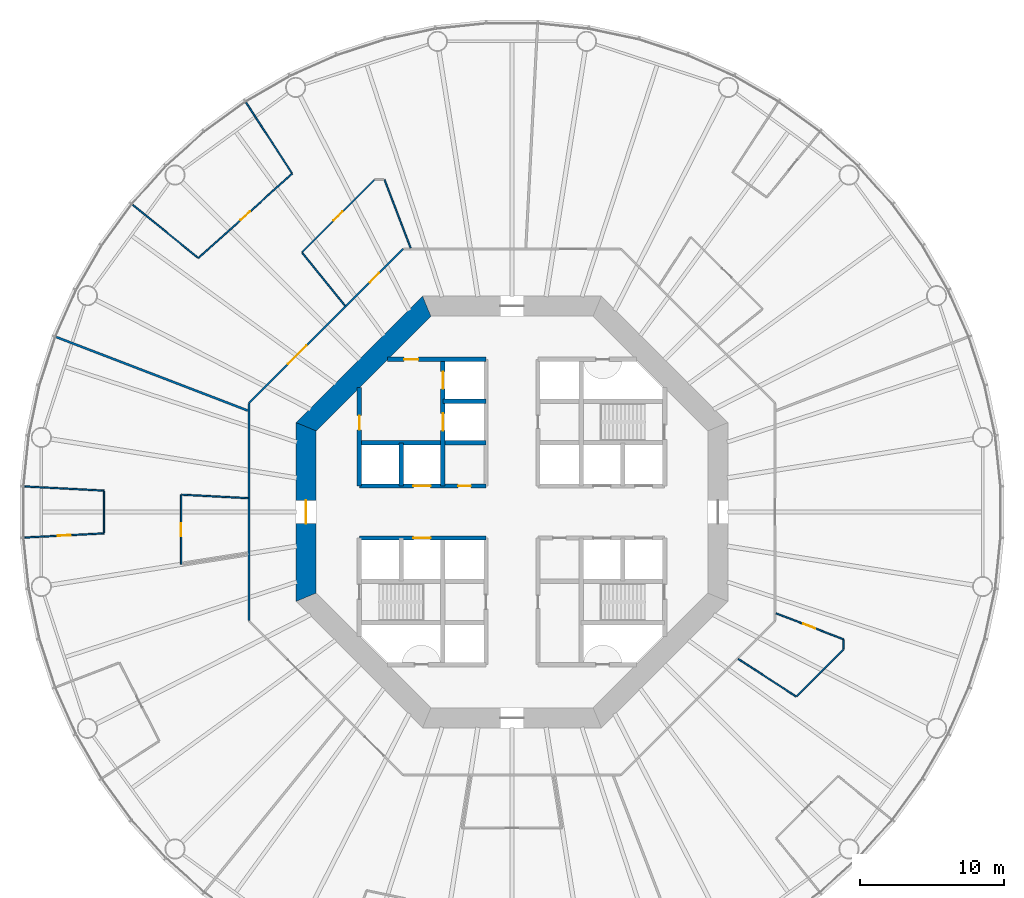
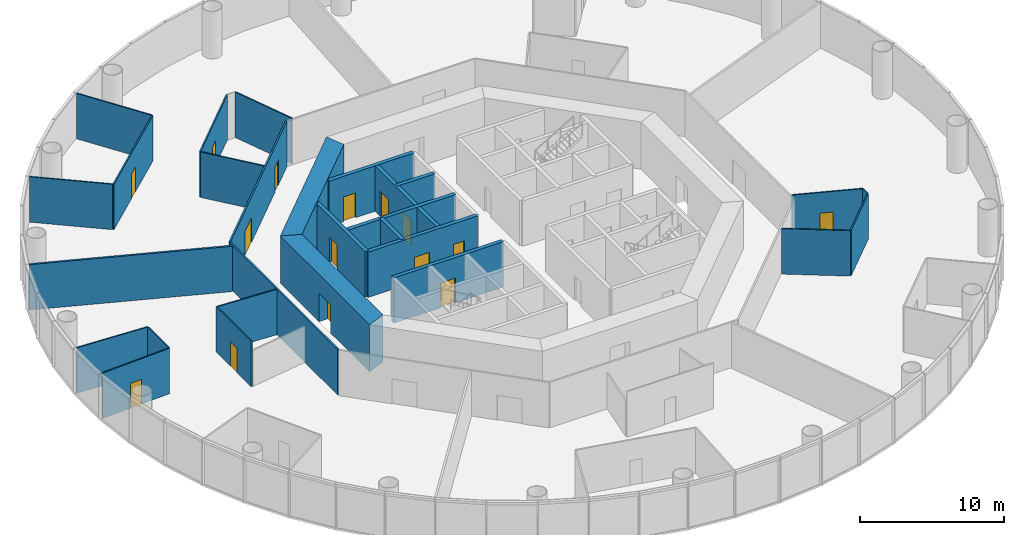
# One storey, part 4 of 13: 28 walls, 15 doors, 15 openings.
"""IFC4 building model written with IfcOpenShell, lengths in metres."""

from ifc_helpers import new_model, si_unit, direction, frame, frame_2d, origin, place, context, subcontext, project, spatial, polyline, rectangle, outline, extrude, material, layer, layer_set, type_object, element, fill, save


model = new_model("IFC4")

# Units and contexts
model_context = context("Model", 3, precision=1e-05, world=origin(), true_north=direction((0.0, 1.0)))
body_context = subcontext(model_context, "Body", "Model", "MODEL_VIEW")
ifc_project = project(units=[si_unit("LENGTHUNIT", "METRE"), si_unit("AREAUNIT", "SQUARE_METRE"), si_unit("VOLUMEUNIT", "CUBIC_METRE"), si_unit("PLANEANGLEUNIT", "RADIAN"), si_unit("MASSUNIT", "GRAM", prefix="KILO")], contexts=[model_context])

# Site, building, storey
site_placement = place(None, origin())
site = spatial("IfcSite", under=ifc_project, at=site_placement, CompositionType="ELEMENT")
building_placement = place(site_placement, origin())
building = spatial("IfcBuilding", under=site, at=building_placement, Name="Entoto Ring Tower", CompositionType="ELEMENT")
storey_placement = place(building_placement, frame((0.0, 0.0, 58.0)))
storey = spatial("IfcBuildingStorey", under=building, at=storey_placement, Name="L12", CompositionType="ELEMENT", Elevation=58.0)

# Wall, openings, doors
ifc_material_1 = material(Name="Concrete C40/50", Category="concrete")
ifc_layer_1 = layer(ifc_material_1, 0.300048828125)
ifc_layer_set_1 = layer_set([ifc_layer_1], Name="Concrete C40/50")
wall_type_1 = type_object("IfcWallType", Name="Core enclosure wall 300 mm reinforced concrete", PredefinedType="SOLIDWALL", material=ifc_layer_set_1)
wall_1_placement = place(storey_placement, frame((85.199951171875, 81.800048828125, 0.0), z_axis=(0.0, 0.0, 1.0), x_axis=(0.0, 1.0, 0.0)))
wall_1 = element("IfcWall", 1, at=wall_1_placement, inside=storey, type_object=wall_type_1, Name="wall-L12-012", PredefinedType="SOLIDWALL", context=body_context, shape_type="SweptSolid", body=[
    extrude(rectangle(XDim=8.800048828125, YDim=0.300048828125, at=frame_2d((4.39990234375, 0.0))), origin(), (0.0, 0.0, 1.0), 3.85009765625),
])
opening_1_placement = place(wall_1_placement, frame((3.85009765625, 0.0, 0.0)))
opening_1 = element("IfcOpeningElement", 2, at=opening_1_placement, cuts=wall_1, Name="Opening LD", PredefinedType="OPENING", context=body_context, shape_type="SweptSolid", body=[
    extrude(rectangle(XDim=1.199951171875, YDim=2.10009765625, at=frame_2d((0.60009765625, 1.050048828125))), frame((0.0, 0.16015625, 0.0), z_axis=(0.0, -1.0, 0.0), x_axis=(1.0, 0.0, 0.0)), (0.0, 0.0, 1.0), 0.320068359375),
])
opening_2_placement = place(wall_1_placement, frame((6.75, 0.0, 0.0)))
opening_2 = element("IfcOpeningElement", 3, at=opening_2_placement, cuts=wall_1, Name="Opening LD", PredefinedType="OPENING", context=body_context, shape_type="SweptSolid", body=[
    extrude(rectangle(XDim=1.199951171875, YDim=2.10009765625, at=frame_2d((0.60009765625, 1.050048828125))), frame((0.0, 0.16015625, 0.0), z_axis=(0.0, -1.0, 0.0), x_axis=(1.0, 0.0, 0.0)), (0.0, 0.0, 1.0), 0.320068359375),
])
ifc_material_2 = material(Name="Steel and glass door leaf", Category="steel")
ifc_layer_2 = layer(ifc_material_2, 0.050048828125)
ifc_layer_set_2 = layer_set([ifc_layer_2], Name="Steel and glass door leaf")
door_type_1 = type_object("IfcDoorType", Name="Landing door 1200 x 2100 sliding", OperationType="DOUBLE_DOOR_SLIDING", PredefinedType="DOOR", material=ifc_layer_set_2)
door_1_placement = place(opening_1_placement, origin())
door_1 = element("IfcDoor", 4, at=door_1_placement, inside=storey, type_object=door_type_1, Name="Landing door FF1", OperationType="SLIDING_TO_RIGHT", OverallHeight=2.10009765625, OverallWidth=1.199951171875, PredefinedType="DOOR", context=body_context, shape_type="SweptSolid", body=[
    extrude(rectangle(XDim=1.199951171875, YDim=2.10009765625, at=frame_2d((0.60009765625, 1.050048828125))), frame((0.0, 0.02490234375, 0.0), z_axis=(0.0, -1.0, 0.0), x_axis=(1.0, 0.0, 0.0)), (0.0, 0.0, 1.0), 0.050048828125),
])
fill(opening_1, door_1)
door_2_placement = place(opening_2_placement, origin())
door_2 = element("IfcDoor", 5, at=door_2_placement, inside=storey, type_object=door_type_1, Name="Landing door FF2", OperationType="SLIDING_TO_RIGHT", OverallHeight=2.10009765625, OverallWidth=1.199951171875, PredefinedType="DOOR", context=body_context, shape_type="SweptSolid", body=[
    extrude(rectangle(XDim=1.199951171875, YDim=2.10009765625, at=frame_2d((0.60009765625, 1.050048828125))), frame((0.0, 0.02490234375, 0.0), z_axis=(0.0, -1.0, 0.0), x_axis=(1.0, 0.0, 0.0)), (0.0, 0.0, 1.0), 0.050048828125),
])
fill(opening_2, door_2)

# Wall
wall_2_placement = place(storey_placement, frame((82.300048828125, 81.800048828125, 0.0), z_axis=(0.0, 0.0, 1.0), x_axis=(0.0, 1.0, 0.0)))
element("IfcWall", 6, at=wall_2_placement, inside=storey, type_object=wall_type_1, Name="wall-L12-014", PredefinedType="SOLIDWALL", context=body_context, shape_type="SweptSolid", body=[
    extrude(rectangle(XDim=3.0, YDim=0.300048828125, at=frame_2d((1.5, 0.0))), origin(), (0.0, 0.0, 1.0), 3.85009765625),
])

# Wall, opening, door
wall_3_placement = place(storey_placement, frame((79.39990234375, 81.800048828125, 0.0), z_axis=(0.0, 0.0, 1.0), x_axis=(0.0, 1.0, 0.0)))
wall_3 = element("IfcWall", 7, at=wall_3_placement, inside=storey, type_object=wall_type_1, Name="wall-L12-016", PredefinedType="SOLIDWALL", context=body_context, shape_type="SweptSolid", body=[
    extrude(rectangle(XDim=6.833251953125, YDim=0.300048828125, at=frame_2d((3.41650390625, 0.0))), origin(), (0.0, 0.0, 1.0), 3.85009765625),
])
opening_3_placement = place(wall_3_placement, frame((3.89990234375, 0.0, 0.0)))
opening_3 = element("IfcOpeningElement", 8, at=opening_3_placement, cuts=wall_3, Name="Opening K-22", PredefinedType="OPENING", context=body_context, shape_type="SweptSolid", body=[
    extrude(rectangle(XDim=1.0, YDim=2.10009765625, at=frame_2d((0.5, 1.050048828125))), frame((0.0, 0.16015625, 0.0), z_axis=(0.0, -1.0, 0.0), x_axis=(1.0, 0.0, 0.0)), (0.0, 0.0, 1.0), 0.320068359375),
])
ifc_material_3 = material(Name="Steel door leaf, fire rated", Category="steel")
ifc_layer_3 = layer(ifc_material_3, 0.050048828125)
ifc_layer_set_3 = layer_set([ifc_layer_3], Name="Steel door leaf, fire rated")
door_type_2 = type_object("IfcDoorType", Name="Fire door FD60 1000 x 2100 single leaf", OperationType="NOTDEFINED", PredefinedType="DOOR", material=ifc_layer_set_3)
door_3_placement = place(opening_3_placement, frame((1.0, 0.0, 0.0), z_axis=(0.0, 0.0, 1.0), x_axis=(-1.0, 0.0, 0.0)))
door_3 = element("IfcDoor", 9, at=door_3_placement, inside=storey, type_object=door_type_2, Name="Door K-22", OperationType="SINGLE_SWING_LEFT", OverallHeight=2.10009765625, OverallWidth=1.0, PredefinedType="DOOR", context=body_context, shape_type="SweptSolid", body=[
    extrude(rectangle(XDim=1.0, YDim=2.10009765625, at=frame_2d((0.5, 1.050048828125))), frame((0.0, 0.02490234375, 0.0), z_axis=(0.0, -1.0, 0.0), x_axis=(1.0, 0.0, 0.0)), (0.0, 0.0, 1.0), 0.050048828125),
])
fill(opening_3, door_3)

wall_4_placement = place(storey_placement, frame((79.39990234375, 78.199951171875, 0.0), z_axis=(0.0, 0.0, 1.0), x_axis=(1.0, 0.0, 0.0)))
wall_4 = element("IfcWall", 10, at=wall_4_placement, inside=storey, type_object=wall_type_1, Name="wall-L12-023", PredefinedType="SOLIDWALL", context=body_context, shape_type="SweptSolid", body=[
    extrude(rectangle(XDim=8.800048828125, YDim=0.300048828125, at=frame_2d((4.39990234375, 0.0))), origin(), (0.0, 0.0, 1.0), 3.85009765625),
])
opening_4_placement = place(wall_4_placement, frame((3.75, 0.0, 0.0)))
opening_4 = element("IfcOpeningElement", 11, at=opening_4_placement, cuts=wall_4, Name="Opening LD", PredefinedType="OPENING", context=body_context, shape_type="SweptSolid", body=[
    extrude(rectangle(XDim=1.199951171875, YDim=2.10009765625, at=frame_2d((0.60009765625, 1.050048828125))), frame((0.0, 0.16015625, 0.0), z_axis=(0.0, -1.0, 0.0), x_axis=(1.0, 0.0, 0.0)), (0.0, 0.0, 1.0), 0.320068359375),
])
door_4_placement = place(opening_4_placement, origin())
door_4 = element("IfcDoor", 12, at=door_4_placement, inside=storey, type_object=door_type_1, Name="Landing door LB6-LR", OperationType="SLIDING_TO_RIGHT", OverallHeight=2.10009765625, OverallWidth=1.199951171875, PredefinedType="DOOR", context=body_context, shape_type="SweptSolid", body=[
    extrude(rectangle(XDim=1.199951171875, YDim=2.10009765625, at=frame_2d((0.60009765625, 1.050048828125))), frame((0.0, 0.02490234375, 0.0), z_axis=(0.0, -1.0, 0.0), x_axis=(1.0, 0.0, 0.0)), (0.0, 0.0, 1.0), 0.050048828125),
])
fill(opening_4, door_4)

# Wall, openings, doors
wall_5_placement = place(storey_placement, frame((79.39990234375, 81.800048828125, 0.0), z_axis=(0.0, 0.0, 1.0), x_axis=(1.0, 0.0, 0.0)))
wall_5 = element("IfcWall", 13, at=wall_5_placement, inside=storey, type_object=wall_type_1, Name="wall-L12-025", PredefinedType="SOLIDWALL", context=body_context, shape_type="SweptSolid", body=[
    extrude(rectangle(XDim=8.800048828125, YDim=0.300048828125, at=frame_2d((4.39990234375, 0.0))), origin(), (0.0, 0.0, 1.0), 3.85009765625),
])
opening_5_placement = place(wall_5_placement, frame((3.75, 0.0, 0.0)))
opening_5 = element("IfcOpeningElement", 14, at=opening_5_placement, cuts=wall_5, Name="Opening LD", PredefinedType="OPENING", context=body_context, shape_type="SweptSolid", body=[
    extrude(rectangle(XDim=1.199951171875, YDim=2.10009765625, at=frame_2d((0.60009765625, 1.050048828125))), frame((0.0, 0.16015625, 0.0), z_axis=(0.0, -1.0, 0.0), x_axis=(1.0, 0.0, 0.0)), (0.0, 0.0, 1.0), 0.320068359375),
])
opening_6_placement = place(wall_5_placement, frame((6.85009765625, 0.0, 0.0)))
opening_6 = element("IfcOpeningElement", 15, at=opening_6_placement, cuts=wall_5, Name="Opening K-14", PredefinedType="OPENING", context=body_context, shape_type="SweptSolid", body=[
    extrude(rectangle(XDim=0.89990234375, YDim=2.10009765625, at=frame_2d((0.449951171875, 1.050048828125))), frame((0.0, 0.16015625, 0.0), z_axis=(0.0, -1.0, 0.0), x_axis=(1.0, 0.0, 0.0)), (0.0, 0.0, 1.0), 0.320068359375),
])
ifc_material_4 = material(Name="Steel door leaf, fire rated", Category="steel")
ifc_layer_4 = layer(ifc_material_4, 0.050048828125)
ifc_layer_set_4 = layer_set([ifc_layer_4], Name="Steel door leaf, fire rated")
door_type_3 = type_object("IfcDoorType", Name="Core door 900 x 2100 single leaf", OperationType="NOTDEFINED", PredefinedType="DOOR", material=ifc_layer_set_4)
door_5_placement = place(opening_6_placement, frame((0.89990234375, 0.0, 0.0), z_axis=(0.0, 0.0, 1.0), x_axis=(-1.0, 0.0, 0.0)))
door_5 = element("IfcDoor", 16, at=door_5_placement, inside=storey, type_object=door_type_3, Name="Door K-14", OperationType="SINGLE_SWING_RIGHT", OverallHeight=2.10009765625, OverallWidth=0.89990234375, PredefinedType="DOOR", context=body_context, shape_type="SweptSolid", body=[
    extrude(rectangle(XDim=0.89990234375, YDim=2.10009765625, at=frame_2d((0.449951171875, 1.050048828125))), frame((0.0, 0.02490234375, 0.0), z_axis=(0.0, -1.0, 0.0), x_axis=(1.0, 0.0, 0.0)), (0.0, 0.0, 1.0), 0.050048828125),
])
fill(opening_6, door_5)
door_6_placement = place(opening_5_placement, origin())
door_6 = element("IfcDoor", 17, at=door_6_placement, inside=storey, type_object=door_type_1, Name="Landing door LB3-LR", OperationType="SLIDING_TO_RIGHT", OverallHeight=2.10009765625, OverallWidth=1.199951171875, PredefinedType="DOOR", context=body_context, shape_type="SweptSolid", body=[
    extrude(rectangle(XDim=1.199951171875, YDim=2.10009765625, at=frame_2d((0.60009765625, 1.050048828125))), frame((0.0, 0.02490234375, 0.0), z_axis=(0.0, -1.0, 0.0), x_axis=(1.0, 0.0, 0.0)), (0.0, 0.0, 1.0), 0.050048828125),
])
fill(opening_5, door_6)

# Walls
wall_6_placement = place(storey_placement, frame((79.39990234375, 84.800048828125, 0.0), z_axis=(0.0, 0.0, 1.0), x_axis=(1.0, 0.0, 0.0)))
element("IfcWall", 18, at=wall_6_placement, inside=storey, type_object=wall_type_1, Name="wall-L12-027", PredefinedType="SOLIDWALL", context=body_context, shape_type="SweptSolid", body=[
    extrude(rectangle(XDim=8.800048828125, YDim=0.300048828125, at=frame_2d((4.39990234375, 0.0))), origin(), (0.0, 0.0, 1.0), 3.85009765625),
])
wall_7_placement = place(storey_placement, frame((85.199951171875, 87.699951171875, 0.0), z_axis=(0.0, 0.0, 1.0), x_axis=(1.0, 0.0, 0.0)))
element("IfcWall", 19, at=wall_7_placement, inside=storey, type_object=wall_type_1, Name="wall-L12-029", PredefinedType="SOLIDWALL", context=body_context, shape_type="SweptSolid", body=[
    extrude(rectangle(XDim=3.0, YDim=0.300048828125, at=frame_2d((1.5, 0.0))), origin(), (0.0, 0.0, 1.0), 3.85009765625),
])

# Wall, opening, door
wall_8_placement = place(storey_placement, frame((81.36669921875, 90.60009765625, 0.0), z_axis=(0.0, 0.0, 1.0), x_axis=(1.0, 0.0, 0.0)))
wall_8 = element("IfcWall", 20, at=wall_8_placement, inside=storey, type_object=wall_type_1, Name="wall-L12-031", PredefinedType="SOLIDWALL", context=body_context, shape_type="SweptSolid", body=[
    extrude(rectangle(XDim=6.833251953125, YDim=0.300048828125, at=frame_2d((3.41650390625, 0.0))), origin(), (0.0, 0.0, 1.0), 3.85009765625),
])
opening_7_placement = place(wall_8_placement, frame((1.13330078125, 0.0, 0.0)))
opening_7 = element("IfcOpeningElement", 21, at=opening_7_placement, cuts=wall_8, Name="Opening K-23", PredefinedType="OPENING", context=body_context, shape_type="SweptSolid", body=[
    extrude(rectangle(XDim=1.0, YDim=2.10009765625, at=frame_2d((0.5, 1.050048828125))), frame((0.0, 0.16015625, 0.0), z_axis=(0.0, -1.0, 0.0), x_axis=(1.0, 0.0, 0.0)), (0.0, 0.0, 1.0), 0.320068359375),
])
door_7_placement = place(opening_7_placement, frame((1.0, 0.0, 0.0), z_axis=(0.0, 0.0, 1.0), x_axis=(-1.0, 0.0, 0.0)))
door_7 = element("IfcDoor", 22, at=door_7_placement, inside=storey, type_object=door_type_2, Name="Door K-23", OperationType="SINGLE_SWING_RIGHT", OverallHeight=2.10009765625, OverallWidth=1.0, PredefinedType="DOOR", context=body_context, shape_type="SweptSolid", body=[
    extrude(rectangle(XDim=1.0, YDim=2.10009765625, at=frame_2d((0.5, 1.050048828125))), frame((0.0, 0.02490234375, 0.0), z_axis=(0.0, -1.0, 0.0), x_axis=(1.0, 0.0, 0.0)), (0.0, 0.0, 1.0), 0.050048828125),
])
fill(opening_7, door_7)

# Wall
ifc_material_5 = material(Name="Concrete C60/75", Category="concrete")
ifc_layer_5 = layer(ifc_material_5, 1.39990234375)
ifc_layer_set_5 = layer_set([ifc_layer_5], Name="Concrete C60/75")
wall_type_2 = type_object("IfcWallType", Name="Core shear wall 1400 mm reinforced concrete C60/75", PredefinedType="SHEAR", material=ifc_layer_set_5)
wall_9_placement = place(storey_placement, frame((84.07666015625, 94.300048828125, 0.0), z_axis=(0.0, 0.0, 1.0), x_axis=(-0.707106781187, -0.707106781187, 0.0)))
element("IfcWall", 23, at=wall_9_placement, inside=storey, type_object=wall_type_2, Name="wall-L12-core-3", PredefinedType="SHEAR", context=body_context, shape_type="SweptSolid", body=[
    extrude(outline(polyline([(-0.2900390625, -0.699951171875), (12.136474609375, -0.699951171875), (11.556396484375, 0.699951171875), (0.2900390625, 0.699951171875), (-0.2900390625, -0.699951171875)])), origin(), (0.0, 0.0, 1.0), 4.0),
])

# Wall, opening, door
wall_10_placement = place(storey_placement, frame((75.699951171875, 85.92333984375, 0.0), z_axis=(0.0, 0.0, 1.0), x_axis=(0.0, -1.0, 0.0)))
wall_10 = element("IfcWall", 24, at=wall_10_placement, inside=storey, type_object=wall_type_2, Name="wall-L12-core-4", PredefinedType="SHEAR", context=body_context, shape_type="SweptSolid", body=[
    extrude(outline(polyline([(-0.2900390625, -0.699951171875), (12.13671875, -0.699951171875), (11.556640625, 0.699951171875), (0.2900390625, 0.699951171875), (-0.2900390625, -0.699951171875)])), origin(), (0.0, 0.0, 1.0), 4.0),
])
opening_8_placement = place(wall_10_placement, frame((5.123291015625, 0.0, 0.0)))
opening_8 = element("IfcOpeningElement", 25, at=opening_8_placement, cuts=wall_10, Name="Opening K-03", PredefinedType="OPENING", context=body_context, shape_type="SweptSolid", body=[
    extrude(rectangle(XDim=1.60009765625, YDim=2.39990234375, at=frame_2d((0.800048828125, 1.199951171875))), frame((0.0, 0.7099609375, 0.0), z_axis=(0.0, -1.0, 0.0), x_axis=(1.0, 0.0, 0.0)), (0.0, 0.0, 1.0), 1.419921875),
])
ifc_material_6 = material(Name="Steel door leaf, fire rated", Category="steel")
ifc_layer_6 = layer(ifc_material_6, 0.050048828125)
ifc_layer_set_6 = layer_set([ifc_layer_6], Name="Steel door leaf, fire rated")
door_type_4 = type_object("IfcDoorType", Name="Entrance door FD60 1600 x 2400 double leaf", OperationType="DOUBLE_DOOR_SINGLE_SWING", PredefinedType="DOOR", material=ifc_layer_set_6)
door_8_placement = place(opening_8_placement, origin())
door_8 = element("IfcDoor", 26, at=door_8_placement, inside=storey, type_object=door_type_4, Name="Entrance door K-03", OperationType="DOUBLE_DOOR_SINGLE_SWING", OverallHeight=2.39990234375, OverallWidth=1.60009765625, PredefinedType="DOOR", context=body_context, shape_type="SweptSolid", body=[
    extrude(rectangle(XDim=1.60009765625, YDim=2.39990234375, at=frame_2d((0.800048828125, 1.199951171875))), frame((0.0, 0.02490234375, 0.0), z_axis=(0.0, -1.0, 0.0), x_axis=(1.0, 0.0, 0.0)), (0.0, 0.0, 1.0), 0.050048828125),
])
fill(opening_8, door_8)

# Wall, openings, doors
ifc_material_7 = material(Name="Fire-resisting plasterboard on steel studs", Category="steel")
ifc_layer_7 = layer(ifc_material_7, 0.125)
ifc_layer_set_7 = layer_set([ifc_layer_7], Name="Fire-resisting plasterboard on steel studs")
wall_type_3 = type_object("IfcWallType", Name="Corridor wall 125 mm one-hour plasterboard on steel studs", PredefinedType="PARTITIONING", material=ifc_layer_set_7)
wall_11_placement = place(storey_placement, frame((71.737548828125, 87.564697265625, 0.0), z_axis=(0.0, 0.0, 1.0), x_axis=(0.707106781187, 0.707106781187, 0.0)))
wall_11 = element("IfcWall", 27, at=wall_11_placement, inside=storey, type_object=wall_type_3, Name="partition-L12-001", PredefinedType="PARTITIONING", context=body_context, shape_type="SweptSolid", body=[
    extrude(rectangle(XDim=15.12890625, YDim=0.125, at=frame_2d((7.564453125, 0.0))), origin(), (0.0, 0.0, 1.0), 3.85009765625),
])
opening_9_placement = place(wall_11_placement, frame((3.842041015625, 0.0, 0.0)))
opening_9 = element("IfcOpeningElement", 28, at=opening_9_placement, cuts=wall_11, Name="Opening A05-D14", PredefinedType="OPENING", context=body_context, shape_type="SweptSolid", body=[
    extrude(rectangle(XDim=1.800048828125, YDim=2.10009765625, at=frame_2d((0.89990234375, 1.050048828125))), frame((0.0, 0.072509765625, 0.0), z_axis=(0.0, -1.0, 0.0), x_axis=(1.0, 0.0, 0.0)), (0.0, 0.0, 1.0), 0.14501953125),
])
opening_10_placement = place(wall_11_placement, frame((11.8564453125, 0.0, 0.0)))
opening_10 = element("IfcOpeningElement", 29, at=opening_10_placement, cuts=wall_11, Name="Opening A05-D16", PredefinedType="OPENING", context=body_context, shape_type="SweptSolid", body=[
    extrude(rectangle(XDim=0.89990234375, YDim=2.10009765625, at=frame_2d((0.449951171875, 1.050048828125))), frame((0.0, 0.072509765625, 0.0), z_axis=(0.0, -1.0, 0.0), x_axis=(1.0, 0.0, 0.0)), (0.0, 0.0, 1.0), 0.14501953125),
])
ifc_material_8 = material(Name="Fire-resisting timber door set", Category="wood")
door_type_5 = type_object("IfcDoorType", Name="Door 1000 x 2100 single leaf FD30S fire door", OperationType="NOTDEFINED", PredefinedType="DOOR", material=ifc_material_8)
door_9_placement = place(opening_10_placement, origin())
door_9 = element("IfcDoor", 30, at=door_9_placement, inside=storey, type_object=door_type_5, Name="Door A05-D16", OperationType="SINGLE_SWING_LEFT", OverallHeight=2.10009765625, OverallWidth=0.89990234375, PredefinedType="DOOR", context=body_context, shape_type="SweptSolid", body=[
    extrude(rectangle(XDim=0.89990234375, YDim=2.10009765625, at=frame_2d((0.449951171875, 1.050048828125))), frame((0.0, 0.02490234375, 0.0), z_axis=(0.0, -1.0, 0.0), x_axis=(1.0, 0.0, 0.0)), (0.0, 0.0, 1.0), 0.050048828125),
])
fill(opening_10, door_9)
ifc_material_9 = material(Name="Fire-resisting timber door set", Category="wood")
door_type_6 = type_object("IfcDoorType", Name="Door 1800 x 2100 double leaf FD30S fire door", OperationType="DOUBLE_DOOR_SINGLE_SWING", PredefinedType="DOOR", material=ifc_material_9)
door_10_placement = place(opening_9_placement, origin())
door_10 = element("IfcDoor", 31, at=door_10_placement, inside=storey, type_object=door_type_6, Name="Door A05-D14", OperationType="DOUBLE_DOOR_SINGLE_SWING", OverallHeight=2.10009765625, OverallWidth=1.800048828125, PredefinedType="DOOR", context=body_context, shape_type="SweptSolid", body=[
    extrude(rectangle(XDim=1.800048828125, YDim=2.10009765625, at=frame_2d((0.89990234375, 1.050048828125))), frame((0.0, 0.02490234375, 0.0), z_axis=(0.0, -1.0, 0.0), x_axis=(1.0, 0.0, 0.0)), (0.0, 0.0, 1.0), 0.050048828125),
])
fill(opening_9, door_10)

# Wall
wall_12_placement = place(storey_placement, frame((71.737548828125, 72.4794921875, 0.0), z_axis=(0.0, 0.0, 1.0), x_axis=(0.0, 1.0, 0.0)))
element("IfcWall", 32, at=wall_12_placement, inside=storey, type_object=wall_type_3, Name="partition-L12-005", PredefinedType="PARTITIONING", context=body_context, shape_type="SweptSolid", body=[
    extrude(rectangle(XDim=15.041015625, YDim=0.125, at=frame_2d((7.5205078125, 0.0))), origin(), (0.0, 0.0, 1.0), 3.85009765625),
])

# Wall, opening, door
ifc_material_10 = material(Name="Plasterboard on steel studs", Category="steel")
ifc_layer_8 = layer(ifc_material_10, 0.10009765625)
ifc_layer_set_8 = layer_set([ifc_layer_8], Name="Plasterboard on steel studs")
wall_type_4 = type_object("IfcWallType", Name="Partition 100 mm plasterboard on steel studs", PredefinedType="PARTITIONING", material=ifc_layer_set_8)
wall_13_placement = place(storey_placement, frame((68.216552734375, 97.639892578125, 0.0), z_axis=(0.0, 0.0, 1.0), x_axis=(0.743162627125, 0.669110835098, 0.0)))
wall_13 = element("IfcWall", 33, at=wall_13_placement, inside=storey, type_object=wall_type_4, Name="partition-L12-015", PredefinedType="PARTITIONING", context=body_context, shape_type="SweptSolid", body=[
    extrude(rectangle(XDim=8.769775390625, YDim=0.10009765625, at=frame_2d((4.384765625, 0.0))), origin(), (0.0, 0.0, 1.0), 3.85009765625),
])
opening_11_placement = place(wall_13_placement, frame((3.934814453125, 0.0, 0.0)))
opening_11 = element("IfcOpeningElement", 34, at=opening_11_placement, cuts=wall_13, Name="Opening A05-D17", PredefinedType="OPENING", context=body_context, shape_type="SweptSolid", body=[
    extrude(rectangle(XDim=0.89990234375, YDim=2.10009765625, at=frame_2d((0.449951171875, 1.050048828125))), frame((0.0, 0.06005859375, 0.0), z_axis=(0.0, -1.0, 0.0), x_axis=(1.0, 0.0, 0.0)), (0.0, 0.0, 1.0), 0.1201171875),
])
ifc_material_11 = material(Name="Veneered timber door leaf in timber frame", Category="wood")
door_type_7 = type_object("IfcDoorType", Name="Door 900 x 2100 single leaf timber veneer", OperationType="NOTDEFINED", PredefinedType="DOOR", material=ifc_material_11)
door_11_placement = place(opening_11_placement, origin())
door_11 = element("IfcDoor", 35, at=door_11_placement, inside=storey, type_object=door_type_7, Name="Door A05-D17", OperationType="SINGLE_SWING_RIGHT", OverallHeight=2.10009765625, OverallWidth=0.89990234375, PredefinedType="DOOR", context=body_context, shape_type="SweptSolid", body=[
    extrude(rectangle(XDim=0.89990234375, YDim=2.10009765625, at=frame_2d((0.449951171875, 1.050048828125))), frame((0.0, 0.02490234375, 0.0), z_axis=(0.0, -1.0, 0.0), x_axis=(1.0, 0.0, 0.0)), (0.0, 0.0, 1.0), 0.050048828125),
])
fill(opening_11, door_11)

wall_14_placement = place(storey_placement, frame((75.393798828125, 98.037353515625, 0.0), z_axis=(0.0, 0.0, 1.0), x_axis=(0.707106781187, 0.707106781187, 0.0)))
wall_14 = element("IfcWall", 36, at=wall_14_placement, inside=storey, type_object=wall_type_4, Name="partition-L12-016", PredefinedType="PARTITIONING", context=body_context, shape_type="SweptSolid", body=[
    extrude(rectangle(XDim=7.135009765625, YDim=0.10009765625, at=frame_2d((3.5673828125, 0.0))), origin(), (0.0, 0.0, 1.0), 3.85009765625),
])
opening_12_placement = place(wall_14_placement, frame((3.117431640625, 0.0, 0.0)))
opening_12 = element("IfcOpeningElement", 37, at=opening_12_placement, cuts=wall_14, Name="Opening A05-D15", PredefinedType="OPENING", context=body_context, shape_type="SweptSolid", body=[
    extrude(rectangle(XDim=0.89990234375, YDim=2.10009765625, at=frame_2d((0.449951171875, 1.050048828125))), frame((0.0, 0.06005859375, 0.0), z_axis=(0.0, -1.0, 0.0), x_axis=(1.0, 0.0, 0.0)), (0.0, 0.0, 1.0), 0.1201171875),
])
door_12_placement = place(opening_12_placement, frame((0.89990234375, 0.0, 0.0), z_axis=(0.0, 0.0, 1.0), x_axis=(-1.0, 0.0, 0.0)))
door_12 = element("IfcDoor", 38, at=door_12_placement, inside=storey, type_object=door_type_7, Name="Door A05-D15", OperationType="SINGLE_SWING_RIGHT", OverallHeight=2.10009765625, OverallWidth=0.89990234375, PredefinedType="DOOR", context=body_context, shape_type="SweptSolid", body=[
    extrude(rectangle(XDim=0.89990234375, YDim=2.10009765625, at=frame_2d((0.449951171875, 1.050048828125))), frame((0.0, 0.02490234375, 0.0), z_axis=(0.0, -1.0, 0.0), x_axis=(1.0, 0.0, 0.0)), (0.0, 0.0, 1.0), 0.050048828125),
])
fill(opening_12, door_12)

# Walls
wall_15_placement = place(storey_placement, frame((74.706787109375, 103.54931640625, 0.0), z_axis=(0.0, 0.0, 1.0), x_axis=(-0.544623708746, 0.838680520742, 0.0)))
element("IfcWall", 39, at=wall_15_placement, inside=storey, type_object=wall_type_4, Name="partition-L12-021", PredefinedType="PARTITIONING", context=body_context, shape_type="SweptSolid", body=[
    extrude(rectangle(XDim=5.86083984375, YDim=0.10009765625, at=frame_2d((2.930419921875, 0.0))), origin(), (0.0, 0.0, 1.0), 3.85009765625),
])
wall_16_placement = place(storey_placement, frame((68.17822265625, 97.6708984375, 0.0), z_axis=(0.0, 0.0, 1.0), x_axis=(-0.777136205055, 0.629332439012, 0.0)))
element("IfcWall", 40, at=wall_16_placement, inside=storey, type_object=wall_type_4, Name="partition-L12-022", PredefinedType="PARTITIONING", context=body_context, shape_type="SweptSolid", body=[
    extrude(rectangle(XDim=5.860595703125, YDim=0.10009765625, at=frame_2d((2.93017578125, 0.0))), origin(), (0.0, 0.0, 1.0), 3.85009765625),
])

# Wall, opening, door
wall_17_placement = place(storey_placement, frame((56.1064453125, 78.2236328125, 0.0), z_axis=(0.0, 0.0, 1.0), x_axis=(0.998629328492, 0.052339891816, 0.0)))
wall_17 = element("IfcWall", 41, at=wall_17_placement, inside=storey, type_object=wall_type_4, Name="partition-L12-027", PredefinedType="PARTITIONING", context=body_context, shape_type="SweptSolid", body=[
    extrude(rectangle(XDim=5.56005859375, YDim=0.10009765625, at=frame_2d((2.780029296875, 0.0))), origin(), (0.0, 0.0, 1.0), 3.85009765625),
])
opening_13_placement = place(wall_17_placement, frame((2.330078125, 0.0, 0.0)))
opening_13 = element("IfcOpeningElement", 42, at=opening_13_placement, cuts=wall_17, Name="Opening A05-D03", PredefinedType="OPENING", context=body_context, shape_type="SweptSolid", body=[
    extrude(rectangle(XDim=0.89990234375, YDim=2.10009765625, at=frame_2d((0.449951171875, 1.050048828125))), frame((0.0, 0.06005859375, 0.0), z_axis=(0.0, -1.0, 0.0), x_axis=(1.0, 0.0, 0.0)), (0.0, 0.0, 1.0), 0.1201171875),
])
door_13_placement = place(opening_13_placement, origin())
door_13 = element("IfcDoor", 43, at=door_13_placement, inside=storey, type_object=door_type_7, Name="Door A05-D03", OperationType="SINGLE_SWING_LEFT", OverallHeight=2.10009765625, OverallWidth=0.89990234375, PredefinedType="DOOR", context=body_context, shape_type="SweptSolid", body=[
    extrude(rectangle(XDim=0.89990234375, YDim=2.10009765625, at=frame_2d((0.449951171875, 1.050048828125))), frame((0.0, 0.02490234375, 0.0), z_axis=(0.0, -1.0, 0.0), x_axis=(1.0, 0.0, 0.0)), (0.0, 0.0, 1.0), 0.050048828125),
])
fill(opening_13, door_13)

# Walls
wall_18_placement = place(storey_placement, frame((61.658935546875, 81.4853515625, 0.0), z_axis=(0.0, 0.0, 1.0), x_axis=(-0.998629328492, 0.052339891816, 0.0)))
element("IfcWall", 44, at=wall_18_placement, inside=storey, type_object=wall_type_4, Name="partition-L12-028", PredefinedType="PARTITIONING", context=body_context, shape_type="SweptSolid", body=[
    extrude(rectangle(XDim=5.56005859375, YDim=0.10009765625, at=frame_2d((2.780029296875, 0.0))), origin(), (0.0, 0.0, 1.0), 3.85009765625),
])
wall_19_placement = place(storey_placement, frame((82.958984375, 98.3427734375, 0.0), z_axis=(0.0, 0.0, 1.0), x_axis=(-0.358395762985, 0.933569749443, 0.0)))
element("IfcWall", 45, at=wall_19_placement, inside=storey, type_object=wall_type_4, Name="partition-L12-029", PredefinedType="PARTITIONING", context=body_context, shape_type="SweptSolid", body=[
    extrude(rectangle(XDim=5.076904296875, YDim=0.10009765625, at=frame_2d((2.53857421875, 0.0))), origin(), (0.0, 0.0, 1.0), 3.85009765625),
])

# Wall, opening, door
wall_20_placement = place(storey_placement, frame((113.032470703125, 71.15869140625, 0.0), z_axis=(0.0, 0.0, 1.0), x_axis=(-0.933574641802, 0.358383018827, 0.0)))
wall_20 = element("IfcWall", 46, at=wall_20_placement, inside=storey, type_object=wall_type_4, Name="partition-L12-030", PredefinedType="PARTITIONING", context=body_context, shape_type="SweptSolid", body=[
    extrude(rectangle(XDim=5.0234375, YDim=0.10009765625, at=frame_2d((2.51171875, 0.0))), origin(), (0.0, 0.0, 1.0), 3.85009765625),
])
opening_14_placement = place(wall_20_placement, frame((2.104736328125, 0.0, 0.0)))
opening_14 = element("IfcOpeningElement", 47, at=opening_14_placement, cuts=wall_20, Name="Opening A05-D09", PredefinedType="OPENING", context=body_context, shape_type="SweptSolid", body=[
    extrude(rectangle(XDim=0.89990234375, YDim=2.10009765625, at=frame_2d((0.449951171875, 1.050048828125))), frame((0.0, 0.06005859375, 0.0), z_axis=(0.0, -1.0, 0.0), x_axis=(1.0, 0.0, 0.0)), (0.0, 0.0, 1.0), 0.1201171875),
])
door_14_placement = place(opening_14_placement, origin())
door_14 = element("IfcDoor", 48, at=door_14_placement, inside=storey, type_object=door_type_7, Name="Door A05-D09", OperationType="SINGLE_SWING_RIGHT", OverallHeight=2.10009765625, OverallWidth=0.89990234375, PredefinedType="DOOR", context=body_context, shape_type="SweptSolid", body=[
    extrude(rectangle(XDim=0.89990234375, YDim=2.10009765625, at=frame_2d((0.449951171875, 1.050048828125))), frame((0.0, 0.02490234375, 0.0), z_axis=(0.0, -1.0, 0.0), x_axis=(1.0, 0.0, 0.0)), (0.0, 0.0, 1.0), 0.050048828125),
])
fill(opening_14, door_14)

# Walls
wall_21_placement = place(storey_placement, frame((109.748291015625, 67.17529296875, 0.0), z_axis=(0.0, 0.0, 1.0), x_axis=(-0.838677001746, 0.544629127702, 0.0)))
element("IfcWall", 49, at=wall_21_placement, inside=storey, type_object=wall_type_4, Name="partition-L12-031", PredefinedType="PARTITIONING", context=body_context, shape_type="SweptSolid", body=[
    extrude(rectangle(XDim=4.80224609375, YDim=0.10009765625, at=frame_2d((2.401123046875, 0.0))), origin(), (0.0, 0.0, 1.0), 3.85009765625),
])
wall_22_placement = place(storey_placement, frame((78.40087890625, 94.32373046875, 0.0), z_axis=(0.0, 0.0, 1.0), x_axis=(-0.629299217098, 0.777163107308, 0.0)))
element("IfcWall", 50, at=wall_22_placement, inside=storey, type_object=wall_type_4, Name="partition-L12-032", PredefinedType="PARTITIONING", context=body_context, shape_type="SweptSolid", body=[
    extrude(rectangle(XDim=4.728759765625, YDim=0.10009765625, at=frame_2d((2.3642578125, 0.0))), origin(), (0.0, 0.0, 1.0), 3.85009765625),
])

# Wall, opening, door
wall_23_placement = place(storey_placement, frame((67.017578125, 76.35986328125, 0.0), z_axis=(0.0, 0.0, 1.0), x_axis=(0.0, 1.0, 0.0)))
wall_23 = element("IfcWall", 51, at=wall_23_placement, inside=storey, type_object=wall_type_4, Name="partition-L12-033", PredefinedType="PARTITIONING", context=body_context, shape_type="SweptSolid", body=[
    extrude(rectangle(XDim=4.8447265625, YDim=0.10009765625, at=frame_2d((2.42236328125, 0.0))), origin(), (0.0, 0.0, 1.0), 3.85009765625),
])
opening_15_placement = place(wall_23_placement, frame((1.972412109375, 0.0, 0.0)))
opening_15 = element("IfcOpeningElement", 52, at=opening_15_placement, cuts=wall_23, Name="Opening A05-D02", PredefinedType="OPENING", context=body_context, shape_type="SweptSolid", body=[
    extrude(rectangle(XDim=0.89990234375, YDim=2.10009765625, at=frame_2d((0.449951171875, 1.050048828125))), frame((0.0, 0.06005859375, 0.0), z_axis=(0.0, -1.0, 0.0), x_axis=(1.0, 0.0, 0.0)), (0.0, 0.0, 1.0), 0.1201171875),
])
door_15_placement = place(opening_15_placement, frame((0.89990234375, 0.0, 0.0), z_axis=(0.0, 0.0, 1.0), x_axis=(-1.0, 0.0, 0.0)))
door_15 = element("IfcDoor", 53, at=door_15_placement, inside=storey, type_object=door_type_7, Name="Door A05-D02", OperationType="SINGLE_SWING_RIGHT", OverallHeight=2.10009765625, OverallWidth=0.89990234375, PredefinedType="DOOR", context=body_context, shape_type="SweptSolid", body=[
    extrude(rectangle(XDim=0.89990234375, YDim=2.10009765625, at=frame_2d((0.449951171875, 1.050048828125))), frame((0.0, 0.02490234375, 0.0), z_axis=(0.0, -1.0, 0.0), x_axis=(1.0, 0.0, 0.0)), (0.0, 0.0, 1.0), 0.050048828125),
])
fill(opening_15, door_15)

# Walls
wall_24_placement = place(storey_placement, frame((71.67236328125, 80.96044921875, 0.0), z_axis=(0.0, 0.0, 1.0), x_axis=(-0.99862936599, 0.052339176362, 0.0)))
element("IfcWall", 54, at=wall_24_placement, inside=storey, type_object=wall_type_4, Name="partition-L12-039", PredefinedType="PARTITIONING", context=body_context, shape_type="SweptSolid", body=[
    extrude(rectangle(XDim=4.608642578125, YDim=0.10009765625, at=frame_2d((2.30419921875, 0.0))), origin(), (0.0, 0.0, 1.0), 3.85009765625),
])
wall_25_placement = place(storey_placement, frame((109.78271484375, 67.2099609375, 0.0), z_axis=(0.0, 0.0, 1.0), x_axis=(0.707106781187, 0.707106781187, 0.0)))
element("IfcWall", 55, at=wall_25_placement, inside=storey, type_object=wall_type_4, Name="partition-L12-040", PredefinedType="PARTITIONING", context=body_context, shape_type="SweptSolid", body=[
    extrude(rectangle(XDim=4.595947265625, YDim=0.10009765625, at=frame_2d((2.2978515625, 0.0))), origin(), (0.0, 0.0, 1.0), 3.85009765625),
])
wall_26_placement = place(storey_placement, frame((61.658935546875, 78.564697265625, 0.0), z_axis=(0.0, 0.0, 1.0), x_axis=(0.0, 1.0, 0.0)))
element("IfcWall", 56, at=wall_26_placement, inside=storey, type_object=wall_type_4, Name="partition-L12-045", PredefinedType="PARTITIONING", context=body_context, shape_type="SweptSolid", body=[
    extrude(rectangle(XDim=2.87060546875, YDim=0.10009765625, at=frame_2d((1.435302734375, 0.0))), origin(), (0.0, 0.0, 1.0), 3.85009765625),
])
wall_27_placement = place(storey_placement, frame((113.032470703125, 70.494873046875, 0.0), z_axis=(0.0, 0.0, 1.0), x_axis=(0.0, 1.0, 0.0)))
element("IfcWall", 57, at=wall_27_placement, inside=storey, type_object=wall_type_4, Name="partition-L12-048", PredefinedType="PARTITIONING", context=body_context, shape_type="SweptSolid", body=[
    extrude(rectangle(XDim=0.6171875, YDim=0.10009765625, at=frame_2d((0.30859375, 0.0))), origin(), (0.0, 0.0, 1.0), 3.85009765625),
])
ifc_material_12 = material(Name="Fire-resisting acoustic plasterboard on steel studs", Category="steel")
ifc_layer_9 = layer(ifc_material_12, 0.14990234375)
ifc_layer_set_9 = layer_set([ifc_layer_9], Name="Fire-resisting acoustic plasterboard on steel studs")
wall_type_5 = type_object("IfcWallType", Name="Party wall 150 mm one-hour acoustic plasterboard on steel studs", PredefinedType="PARTITIONING", material=ifc_layer_set_9)
wall_28_placement = place(storey_placement, frame((71.648193359375, 87.044677734375, 0.0), z_axis=(0.0, 0.0, 1.0), x_axis=(-0.933581102113, 0.358366189501, 0.0)))
element("IfcWall", 58, at=wall_28_placement, inside=storey, type_object=wall_type_5, Name="partition-L12-011", PredefinedType="PARTITIONING", context=body_context, shape_type="SweptSolid", body=[
    extrude(rectangle(XDim=14.28271484375, YDim=0.14990234375, at=frame_2d((7.141357421875, 0.0))), origin(), (0.0, 0.0, 1.0), 3.85009765625),
])

save(model, "model.ifc")
